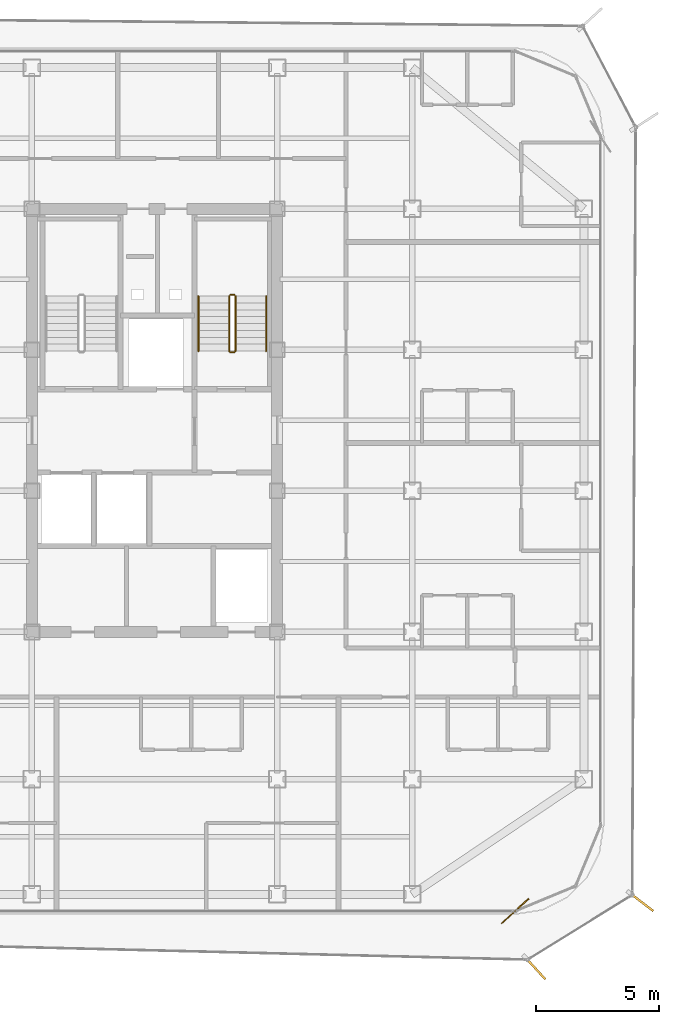
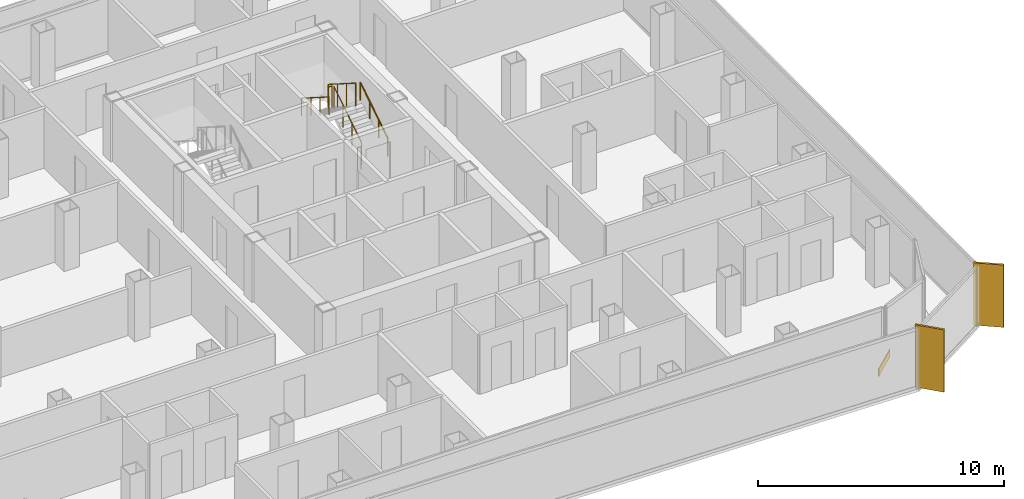
# One storey, part 14 of 15: 6 railings, 2 shading devices, 1 covering.
"""IFC4 building model written with IfcOpenShell, lengths in metres."""

from ifc_helpers import new_model, si_unit, direction, frame, origin, origin_2d, place, context, subcontext, project, spatial, rectangle, circle, extrude, source, transform, mapped, material, layer, layer_set, type_object, element, save


model = new_model("IFC4")

# Units and contexts
model_context = context("Model", 3, precision=1e-05, world=origin(), true_north=direction((0.0, 1.0)))
body_context = subcontext(model_context, "Body", "Model", "MODEL_VIEW")
ifc_project = project(units=[si_unit("LENGTHUNIT", "METRE"), si_unit("AREAUNIT", "SQUARE_METRE"), si_unit("VOLUMEUNIT", "CUBIC_METRE"), si_unit("PLANEANGLEUNIT", "RADIAN"), si_unit("MASSUNIT", "GRAM", prefix="KILO")], contexts=[model_context])

# Site, building, storey
site_placement = place(None, origin())
site = spatial("IfcSite", under=ifc_project, at=site_placement, CompositionType="ELEMENT")
building_placement = place(site_placement, origin())
building = spatial("IfcBuilding", under=site, at=building_placement, Name="Kolveth Station Tower", CompositionType="ELEMENT")
storey_placement = place(building_placement, frame((0.0, 0.0, 199.60009765625)))
storey = spatial("IfcBuildingStorey", under=building, at=storey_placement, Name="L56", CompositionType="ELEMENT", Elevation=199.60009765625)

# Railings
ifc_material_1 = material(Name="Painted Steel S355 balustrade", Category="steel")
railing_type_1 = type_object("IfcRailingType", Name="Guard_GR2", PredefinedType="BALUSTRADE", material=ifc_material_1)
railing_1_placement = place(storey_placement, frame((26.800048828125, 22.949951171875, 0.177734375)))
element("IfcRailing", 1, at=railing_1_placement, inside=storey, type_object=railing_type_1, Name="L56 ST2 stair guard 1", PredefinedType="BALUSTRADE", context=body_context, shape_type="SweptSolid", body=[
    extrude(circle(Radius=0.02392578125, at=origin_2d()), frame((0.0, 0.0, 1.1259765625), z_axis=(0.0, 0.8442293374, 0.53598211339), x_axis=(-1.0, 0.0, 0.0)), (0.0, 0.0, 1.0), 2.6533203125),
    extrude(circle(Radius=0.02099609375, at=origin_2d()), origin(), (0.0, 0.0, 1.0), 1.101806640625),
    extrude(circle(Radius=0.02099609375, at=origin_2d()), frame((0.0, 0.74658203125, 0.47412109375)), (0.0, 0.0, 1.0), 1.101806640625),
    extrude(circle(Radius=0.02099609375, at=origin_2d()), frame((0.0, 1.493408203125, 0.947998046875)), (0.0, 0.0, 1.0), 1.101806640625),
    extrude(circle(Radius=0.02099609375, at=origin_2d()), frame((0.0, 2.239990234375, 1.422119140625)), (0.0, 0.0, 1.0), 1.101806640625),
])
railing_2_placement = place(storey_placement, frame((26.75, 25.239990234375, 1.599853515625)))
element("IfcRailing", 2, at=railing_2_placement, inside=storey, type_object=railing_type_1, Name="L56 ST2 stair guard 2", PredefinedType="BALUSTRADE", context=body_context, shape_type="SweptSolid", body=[
    extrude(circle(Radius=0.02392578125, at=origin_2d()), frame((0.0, 0.0, 1.1259765625), z_axis=(-1.0, 0.0, 0.0), x_axis=(0.0, -1.0, 0.0)), (0.0, 0.0, 1.0), 0.159912109375),
    extrude(circle(Radius=0.02099609375, at=origin_2d()), origin(), (0.0, 0.0, 1.0), 1.101806640625),
    extrude(circle(Radius=0.02099609375, at=origin_2d()), frame((-0.159912109375, 0.0, 0.0)), (0.0, 0.0, 1.0), 1.101806640625),
])
railing_3_placement = place(storey_placement, frame((26.5400390625, 25.18994140625, 1.777587890625)))
element("IfcRailing", 3, at=railing_3_placement, inside=storey, type_object=railing_type_1, Name="L56 ST2 stair guard 3", PredefinedType="BALUSTRADE", context=body_context, shape_type="SweptSolid", body=[
    extrude(circle(Radius=0.02392578125, at=origin_2d()), frame((0.0, 0.0, 1.1259765625), z_axis=(0.0, -0.84418770128, 0.536047689118), x_axis=(1.0, 0.0, 0.0)), (0.0, 0.0, 1.0), 2.6533203125),
    extrude(circle(Radius=0.02099609375, at=origin_2d()), origin(), (0.0, 0.0, 1.0), 1.101806640625),
    extrude(circle(Radius=0.02099609375, at=origin_2d()), frame((0.0, -0.74658203125, 0.47412109375)), (0.0, 0.0, 1.0), 1.101806640625),
    extrude(circle(Radius=0.02099609375, at=origin_2d()), frame((0.0, -1.493408203125, 0.9482421875)), (0.0, 0.0, 1.0), 1.101806640625),
    extrude(circle(Radius=0.02099609375, at=origin_2d()), frame((0.0, -2.239990234375, 1.42236328125)), (0.0, 0.0, 1.0), 1.101806640625),
])
railing_4_placement = place(storey_placement, frame((26.75, 22.89990234375, 0.0)))
element("IfcRailing", 4, at=railing_4_placement, inside=storey, type_object=railing_type_1, Name="L56 ST2 stair guard 4", PredefinedType="BALUSTRADE", context=body_context, shape_type="SweptSolid", body=[
    extrude(circle(Radius=0.02392578125, at=origin_2d()), frame((0.0, 0.0, 1.1259765625), z_axis=(-1.0, 0.0, 0.0), x_axis=(0.0, -1.0, 0.0)), (0.0, 0.0, 1.0), 0.159912109375),
    extrude(circle(Radius=0.02099609375, at=origin_2d()), origin(), (0.0, 0.0, 1.0), 1.101806640625),
    extrude(circle(Radius=0.02099609375, at=origin_2d()), frame((-0.159912109375, 0.0, 0.0)), (0.0, 0.0, 1.0), 1.101806640625),
])
ifc_material_2 = material(Name="Brushed stainless steel", Category="steel")
railing_type_2 = type_object("IfcRailingType", Name="Handrail_HR1", PredefinedType="HANDRAIL", material=ifc_material_2)
railing_5_placement = place(storey_placement, frame((28.050048828125, 22.949951171875, 0.177734375)))
element("IfcRailing", 5, at=railing_5_placement, inside=storey, type_object=railing_type_2, Name="L56 ST2 stair handrail 1", PredefinedType="HANDRAIL", context=body_context, shape_type="SweptSolid", body=[
    extrude(circle(Radius=0.02392578125, at=origin_2d()), frame((0.0, 0.0, 0.8759765625), z_axis=(0.0, 0.8442293374, 0.53598211339), x_axis=(-1.0, 0.0, 0.0)), (0.0, 0.0, 1.0), 2.6533203125),
    extrude(circle(Radius=0.02099609375, at=origin_2d()), origin(), (0.0, 0.0, 1.0), 0.851806640625),
    extrude(circle(Radius=0.02099609375, at=origin_2d()), frame((0.0, 0.74658203125, 0.47412109375)), (0.0, 0.0, 1.0), 0.851806640625),
    extrude(circle(Radius=0.02099609375, at=origin_2d()), frame((0.0, 1.493408203125, 0.947998046875)), (0.0, 0.0, 1.0), 0.851806640625),
    extrude(circle(Radius=0.02099609375, at=origin_2d()), frame((0.0, 2.239990234375, 1.422119140625)), (0.0, 0.0, 1.0), 0.851806640625),
])
railing_6_placement = place(storey_placement, frame((25.2900390625, 25.18994140625, 1.777587890625)))
element("IfcRailing", 6, at=railing_6_placement, inside=storey, type_object=railing_type_2, Name="L56 ST2 stair handrail 2", PredefinedType="HANDRAIL", context=body_context, shape_type="SweptSolid", body=[
    extrude(circle(Radius=0.02392578125, at=origin_2d()), frame((0.0, 0.0, 0.8759765625), z_axis=(0.0, -0.84418770128, 0.536047689118), x_axis=(1.0, 0.0, 0.0)), (0.0, 0.0, 1.0), 2.6533203125),
    extrude(circle(Radius=0.02099609375, at=origin_2d()), origin(), (0.0, 0.0, 1.0), 0.851806640625),
    extrude(circle(Radius=0.02099609375, at=origin_2d()), frame((0.0, -0.74658203125, 0.47412109375)), (0.0, 0.0, 1.0), 0.851806640625),
    extrude(circle(Radius=0.02099609375, at=origin_2d()), frame((0.0, -1.493408203125, 0.9482421875)), (0.0, 0.0, 1.0), 0.851806640625),
    extrude(circle(Radius=0.02099609375, at=origin_2d()), frame((0.0, -2.239990234375, 1.42236328125)), (0.0, 0.0, 1.0), 0.851806640625),
])

# Shading devices
ifc_material_3 = material(Name="Black anodized aluminium 6063-T6", Category="aluminium")
shading_device_type = type_object("IfcShadingDeviceType", Name="FIN_VF1", PredefinedType="USERDEFINED", material=ifc_material_3)
shared_shape_1 = source(origin(), body_context, "Body", "SweptSolid", [
    extrude(rectangle(XDim=1.25, YDim=0.090087890625, at=origin_2d()), origin(), (0.0, 0.0, 1.0), 3.10009765625),
])
for number, where, z_axis, x_axis, name in (
    (7, (39.008056640625, -2.197998046875, -0.000244140625), (0.0, 0.0, 1.0), (0.674044576967, -0.738690671568, 0.0), "L56 Dark-Aluminium Solar Fin 1"),
    (8, (43.3359375, 0.5009765625, -0.000244140625), (0.0, 0.0, 1.0), (0.794520615517, -0.607237178966, 0.0), "L56 Dark-Aluminium Solar Fin 2"),
):
    element("IfcShadingDevice", number, at=place(storey_placement, frame(where, z_axis=z_axis, x_axis=x_axis)), inside=storey, type_object=shading_device_type, Name=name, ObjectType="FIN", PredefinedType="USERDEFINED", context=body_context, shape_type="MappedRepresentation", body=[
        mapped(shared_shape_1, transform((0.0, 0.0, 0.0), x_axis=(1.0, 0.0, 0.0), y_axis=(0.0, 1.0, 0.0), z_axis=(0.0, 0.0, 1.0), scale=1.0)),
    ])

# Covering
ifc_material_4 = material(Name="Charcoal anodized aluminium spandrel cladding", Category="aluminium")
ifc_layer = layer(ifc_material_4, 0.044921875)
ifc_layer_set = layer_set([ifc_layer], Name="Charcoal anodized aluminium spandrel cladding")
covering_type = type_object("IfcCoveringType", Name="Clad_CD1", PredefinedType="CLADDING", material=ifc_layer_set)
shared_shape_2 = source(origin(), body_context, "Body", "SweptSolid", [
    extrude(rectangle(XDim=1.5, YDim=0.044921875, at=origin_2d()), origin(), (0.0, 0.0, 1.0), 0.360107421875),
])
covering_placement = place(storey_placement, frame((38.199951171875, 0.1201171875, 0.0), z_axis=(0.0, 0.0, 1.0), x_axis=(0.738690671568, 0.674044576967, 0.0)))
element("IfcCovering", 9, at=covering_placement, inside=storey, type_object=covering_type, Name="L56 Spandrel Edge Cladding 1", PredefinedType="CLADDING", context=body_context, shape_type="MappedRepresentation", body=[
    mapped(shared_shape_2, transform((0.0, 0.0, 0.0), x_axis=(1.0, 0.0, 0.0), y_axis=(0.0, 1.0, 0.0), z_axis=(0.0, 0.0, 1.0), scale=1.0)),
])

save(model, "model.ifc")
